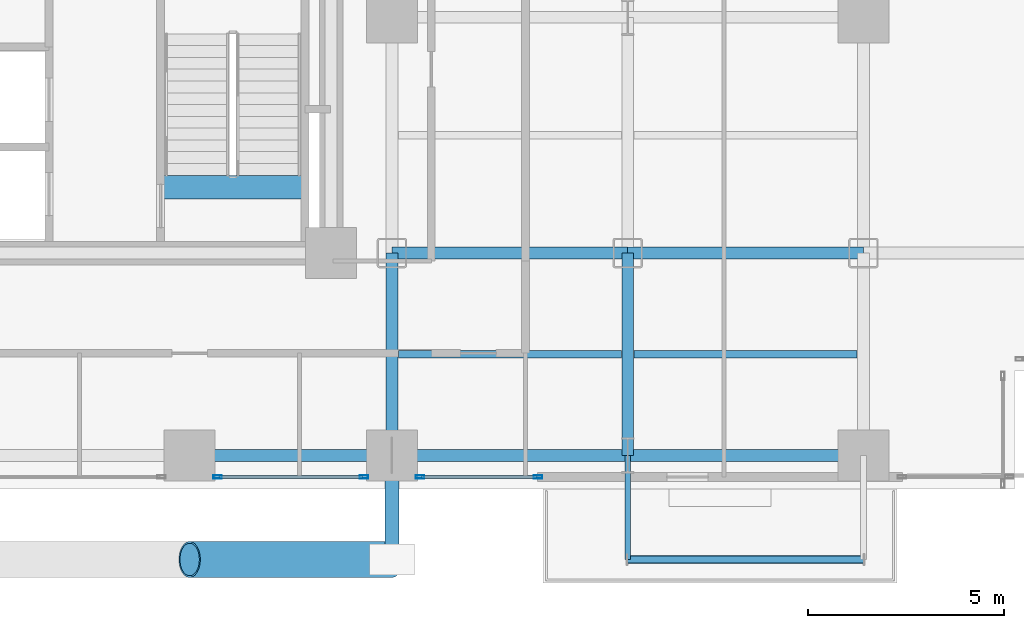
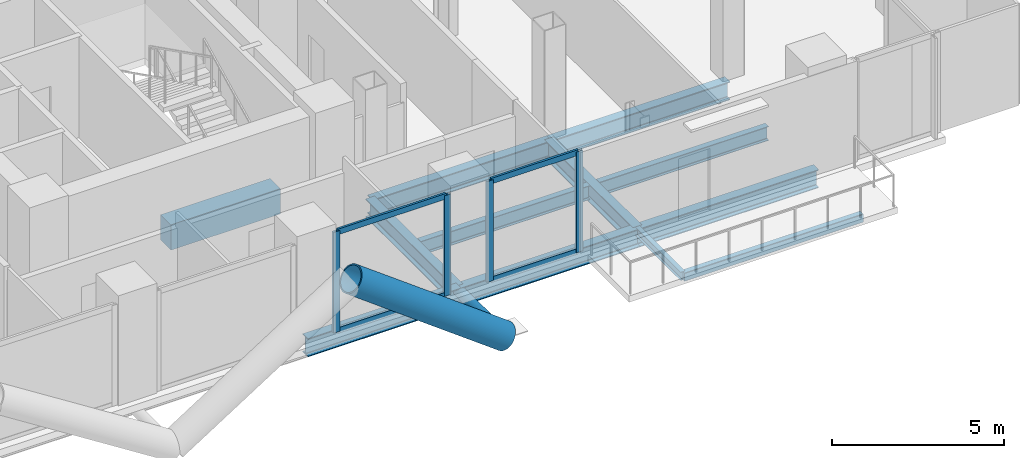
# One storey, part 8 of 27: 12 beams, 10 members, 2 elements without a shape of their own.
"""IFC4 building model written with IfcOpenShell, lengths in metres."""

from ifc_helpers import new_model, si_unit, direction, frame, origin, origin_2d, place, context, subcontext, project, spatial, rectangle, hollow_rectangle, hollow_circle, i_section, extrude, material, layer, layer_set, material_profile, profile_set, type_object, element, aggregate, save


model = new_model("IFC4")

# Units and contexts
model_context = context("Model", 3, precision=1e-05, world=origin(), true_north=direction((0.0, 1.0)))
body_context = subcontext(model_context, "Body", "Model", "MODEL_VIEW")
ifc_project = project(units=[si_unit("LENGTHUNIT", "METRE"), si_unit("AREAUNIT", "SQUARE_METRE"), si_unit("VOLUMEUNIT", "CUBIC_METRE"), si_unit("PLANEANGLEUNIT", "RADIAN"), si_unit("MASSUNIT", "GRAM", prefix="KILO"), si_unit("THERMODYNAMICTEMPERATUREUNIT", "KELVIN"), si_unit("POWERUNIT", "WATT")], contexts=[model_context])

# Site, building, storey
site_placement = place(None, origin())
site = spatial("IfcSite", under=ifc_project, at=site_placement, CompositionType="ELEMENT")
building_placement = place(site_placement, origin())
building = spatial("IfcBuilding", under=site, at=building_placement, Name="Svarakhadi Broadcast Tower", CompositionType="ELEMENT")
storey_placement = place(building_placement, frame((0.0, 0.0, 90.89990234375)))
storey = spatial("IfcBuildingStorey", under=building, at=storey_placement, Name="L21", CompositionType="ELEMENT", Elevation=90.89990234375)

# Beams
ifc_material_1 = material(Name="Steel S355J2 (IS 2062 E350C)", Category="steel")
ifc_material_profile_1 = material_profile(ifc_material_1, i_section(OverallWidth=0.199951171875, OverallDepth=0.5, WebThickness=0.01025390625, FlangeThickness=0.01611328125, FilletRadius=0.02099609375, at=origin_2d()), Name="NPB 500x200x91")
ifc_profile_set_1 = profile_set([ifc_material_profile_1], Name="Steel S355J2 (IS 2062 E350C)")
beam_type_1 = type_object("IfcBeamType", Name="Beam_NPB500", PredefinedType="BEAM", material=ifc_profile_set_1)
for number, where, z_axis, x_axis, name in (
    (1, (35.31005859375, 3.425048828125, -0.5), (1.0, 0.0, 0.0), (0.0, 1.0, 0.0), "L21 Secondary Composite Beam SB022"),
    (2, (41.31005859375, 3.425048828125, -0.5), (1.0, 0.0, 0.0), (0.0, 1.0, 0.0), "L21 Secondary Composite Beam SB025"),
):
    element("IfcBeam", number, at=place(storey_placement, frame(where, z_axis=z_axis, x_axis=x_axis)), inside=storey, type_object=beam_type_1, Name=name, PredefinedType="BEAM", context=body_context, shape_type="SweptSolid", body=[
        extrude(i_section(OverallWidth=0.199951171875, OverallDepth=0.5, WebThickness=0.01025390625, FlangeThickness=0.01611328125, FilletRadius=0.02099609375, at=origin_2d()), origin(), (0.0, 0.0, 1.0), 5.679931640625),
    ])

# Curtain wall, members
ifc_material_2 = material(Name="Anodised Bronze Aluminium AA 6063-T6", Category="aluminium")
ifc_layer = layer(ifc_material_2, 0.219970703125)
ifc_layer_set = layer_set([ifc_layer], Name="Anodised Bronze Aluminium AA 6063-T6")
curtain_wall_type = type_object("IfcCurtainWallType", Name="CW_Sys_02", PredefinedType="NOTDEFINED", material=ifc_layer_set)
curtain_wall_1_placement = place(storey_placement, origin())
curtain_wall_1 = element("IfcCurtainWall", 3, at=curtain_wall_1_placement, inside=storey, type_object=curtain_wall_type, Name="L21 South Curtain Wall 17 Bay 1", PredefinedType="NOTDEFINED")
ifc_material_profile_2 = material_profile(ifc_material_2, hollow_rectangle(XDim=0.0849609375, YDim=0.219970703125, WallThickness=0.006103515625, at=origin_2d()), Name="ALU MULLION 220x85x6")
ifc_profile_set_2 = profile_set([ifc_material_profile_2], Name="Anodised Bronze Aluminium AA 6063-T6")
member_type_1 = type_object("IfcMemberType", Name="CW_Sys_02_Mul", PredefinedType="MULLION", material=ifc_profile_set_2)
member_1_placement = place(storey_placement, frame((38.867431640625, 0.300048828125, 0.0), z_axis=(0.0, 0.0, 1.0), x_axis=(0.0, -1.0, 0.0)))
member_1 = element("IfcMember", 4, at=member_1_placement, type_object=member_type_1, Name="CW-02 mullion 1", PredefinedType="MULLION", context=body_context, shape_type="SweptSolid", body=[
    extrude(hollow_rectangle(XDim=0.0849609375, YDim=0.219970703125, WallThickness=0.006103515625, at=origin_2d()), origin(), (0.0, 0.0, 1.0), 3.5751953125),
])
member_2_placement = place(storey_placement, frame((35.862548828125, 0.300048828125, 0.0), z_axis=(0.0, 0.0, 1.0), x_axis=(0.0, -1.0, 0.0)))
member_2 = element("IfcMember", 5, at=member_2_placement, type_object=member_type_1, Name="CW-02 mullion 2", PredefinedType="MULLION", context=body_context, shape_type="SweptSolid", body=[
    extrude(hollow_rectangle(XDim=0.0849609375, YDim=0.219970703125, WallThickness=0.006103515625, at=origin_2d()), origin(), (0.0, 0.0, 1.0), 3.5751953125),
])

curtain_wall_2_placement = place(storey_placement, origin())
curtain_wall_2 = element("IfcCurtainWall", 6, at=curtain_wall_2_placement, inside=storey, type_object=curtain_wall_type, Name="L21 South Curtain Wall 17 Bay 2", PredefinedType="NOTDEFINED")
member_3_placement = place(storey_placement, frame((34.4375, 0.300048828125, 0.0), z_axis=(0.0, 0.0, 1.0), x_axis=(0.0, -1.0, 0.0)))
member_3 = element("IfcMember", 7, at=member_3_placement, type_object=member_type_1, Name="CW-02 mullion 1", PredefinedType="MULLION", context=body_context, shape_type="SweptSolid", body=[
    extrude(hollow_rectangle(XDim=0.0849609375, YDim=0.219970703125, WallThickness=0.006103515625, at=origin_2d()), origin(), (0.0, 0.0, 1.0), 3.5751953125),
])
member_4_placement = place(storey_placement, frame((30.71240234375, 0.300048828125, 0.0), z_axis=(0.0, 0.0, 1.0), x_axis=(0.0, -1.0, 0.0)))
member_4 = element("IfcMember", 8, at=member_4_placement, type_object=member_type_1, Name="CW-02 mullion 2", PredefinedType="MULLION", context=body_context, shape_type="SweptSolid", body=[
    extrude(hollow_rectangle(XDim=0.0849609375, YDim=0.219970703125, WallThickness=0.006103515625, at=origin_2d()), origin(), (0.0, 0.0, 1.0), 3.5751953125),
])

# Member
ifc_material_profile_3 = material_profile(ifc_material_2, hollow_rectangle(XDim=0.074951171875, YDim=0.199951171875, WallThickness=0.0048828125, at=origin_2d()), Name="ALU TRANSOM 200x75x5")
ifc_profile_set_3 = profile_set([ifc_material_profile_3], Name="Anodised Bronze Aluminium AA 6063-T6")
member_type_2 = type_object("IfcMemberType", Name="CW_Sys_02_Trn", PredefinedType="USERDEFINED", material=ifc_profile_set_3)
member_5_placement = place(storey_placement, frame((38.824951171875, 0.300048828125, 0.03759765625), z_axis=(-1.0, 0.0, 0.0), x_axis=(0.0, -1.0, 0.0)))
member_5 = element("IfcMember", 9, at=member_5_placement, type_object=member_type_2, Name="CW-02 transom 1.1", ObjectType="TRANSOM", PredefinedType="USERDEFINED", context=body_context, shape_type="SweptSolid", body=[
    extrude(hollow_rectangle(XDim=0.074951171875, YDim=0.199951171875, WallThickness=0.0048828125, at=origin_2d()), origin(), (0.0, 0.0, 1.0), 2.919921875),
])

member_6_placement = place(storey_placement, frame((38.824951171875, 0.300048828125, 3.53759765625), z_axis=(-1.0, 0.0, 0.0), x_axis=(0.0, -1.0, 0.0)))
member_6 = element("IfcMember", 10, at=member_6_placement, type_object=member_type_2, Name="CW-02 transom 1.2", ObjectType="TRANSOM", PredefinedType="USERDEFINED", context=body_context, shape_type="SweptSolid", body=[
    extrude(hollow_rectangle(XDim=0.074951171875, YDim=0.199951171875, WallThickness=0.0048828125, at=origin_2d()), origin(), (0.0, 0.0, 1.0), 2.919921875),
])

aggregate(curtain_wall_1, [member_1, member_2, member_5, member_6])

member_7_placement = place(storey_placement, frame((34.39501953125, 0.300048828125, 0.03759765625), z_axis=(-1.0, 0.0, 0.0), x_axis=(0.0, -1.0, 0.0)))
member_7 = element("IfcMember", 11, at=member_7_placement, type_object=member_type_2, Name="CW-02 transom 1.1", ObjectType="TRANSOM", PredefinedType="USERDEFINED", context=body_context, shape_type="SweptSolid", body=[
    extrude(hollow_rectangle(XDim=0.074951171875, YDim=0.199951171875, WallThickness=0.0048828125, at=origin_2d()), origin(), (0.0, 0.0, 1.0), 3.64013671875),
])

member_8_placement = place(storey_placement, frame((34.39501953125, 0.300048828125, 3.53759765625), z_axis=(-1.0, 0.0, 0.0), x_axis=(0.0, -1.0, 0.0)))
member_8 = element("IfcMember", 12, at=member_8_placement, type_object=member_type_2, Name="CW-02 transom 1.2", ObjectType="TRANSOM", PredefinedType="USERDEFINED", context=body_context, shape_type="SweptSolid", body=[
    extrude(hollow_rectangle(XDim=0.074951171875, YDim=0.199951171875, WallThickness=0.0048828125, at=origin_2d()), origin(), (0.0, 0.0, 1.0), 3.64013671875),
])

aggregate(curtain_wall_2, [member_3, member_4, member_7, member_8])

# Beam
ifc_material_3 = material(Name="Concrete C50/60 (IS 456 M60)", Category="concrete")
ifc_material_profile_4 = material_profile(ifc_material_3, rectangle(XDim=0.60009765625, YDim=0.89990234375, at=origin_2d()), Name="RC 600x900")
ifc_profile_set_4 = profile_set([ifc_material_profile_4], Name="Concrete C50/60 (IS 456 M60)")
beam_type_2 = type_object("IfcBeamType", Name="Coupling_RC600", PredefinedType="USERDEFINED", material=ifc_profile_set_4)
beam_1_placement = place(storey_placement, frame((29.260009765625, 7.679931640625, -0.449951171875), z_axis=(1.0, 0.0, 0.0), x_axis=(0.0, 1.0, 0.0)))
element("IfcBeam", 13, at=beam_1_placement, inside=storey, type_object=beam_type_2, Name="L21 Stair ST-02 Landing Throat Trimmer Beam CB-01", ObjectType="GIRDER", PredefinedType="USERDEFINED", context=body_context, shape_type="SweptSolid", body=[
    extrude(rectangle(XDim=0.60009765625, YDim=0.89990234375, at=origin_2d()), origin(), (0.0, 0.0, 1.0), 3.679931640625),
])

# Members
ifc_material_4 = material(Name="Steel S460ML (IS 2062 E450BR)", Category="steel")
ifc_material_profile_5 = material_profile(ifc_material_4, hollow_circle(Radius=0.45703125, WallThickness=0.044921875, at=origin_2d()), Name="CHS 914x45")
ifc_profile_set_5 = profile_set([ifc_material_profile_5], Name="Steel S460ML (IS 2062 E450BR)")
member_type_3 = type_object("IfcMemberType", Name="Exo_Brace_CHS914", PredefinedType="BRACE", material=ifc_profile_set_5)
member_9_placement = place(storey_placement, frame((35.14990234375, -1.800048828125, -0.427734375), z_axis=(-0.802795376405, 0.0, 0.596254629854), x_axis=(0.0, -1.0, 0.0)))
element("IfcMember", 14, at=member_9_placement, inside=storey, type_object=member_type_3, Name="L21 Exposed Bronze Exoskeleton Diagonal S05", PredefinedType="BRACE", context=body_context, shape_type="SweptSolid", body=[
    extrude(hollow_circle(Radius=0.45703125, WallThickness=0.044921875, at=origin_2d()), origin(), (0.0, 0.0, 1.0), 6.4150390625),
])
ifc_material_profile_6 = material_profile(ifc_material_4, hollow_circle(Radius=0.177734375, WallThickness=0.02001953125, at=origin_2d()), Name="CHS 355.6x20")
ifc_profile_set_6 = profile_set([ifc_material_profile_6], Name="Steel S460ML (IS 2062 E450BR)")
member_type_4 = type_object("IfcMemberType", Name="Exo_Radial_Strut_Z1", PredefinedType="STRUT", material=ifc_profile_set_6)
member_10_placement = place(storey_placement, frame((35.14990234375, -1.800048828125, -0.427734375), z_axis=(0.0, 1.0, 0.0), x_axis=(-1.0, 0.0, 0.0)))
element("IfcMember", 15, at=member_10_placement, inside=storey, type_object=member_type_4, Name="L21 Exoskeleton Radial Tie Strut S03", PredefinedType="STRUT", context=body_context, shape_type="SweptSolid", body=[
    extrude(hollow_circle(Radius=0.177734375, WallThickness=0.02001953125, at=origin_2d()), origin(), (0.0, 0.0, 1.0), 2.650146484375),
])

# Beams
ifc_material_profile_7 = material_profile(ifc_material_1, i_section(OverallWidth=0.300048828125, OverallDepth=0.64990234375, WebThickness=0.01611328125, FlangeThickness=0.031005859375, FilletRadius=0.027099609375, at=origin_2d()), Name="WPB 650x300x225")
ifc_profile_set_7 = profile_set([ifc_material_profile_7], Name="Steel S355J2 (IS 2062 E350C)")
beam_type_3 = type_object("IfcBeamType", Name="Girder_WPB650", PredefinedType="USERDEFINED", material=ifc_profile_set_7)
beam_2_placement = place(storey_placement, frame((30.0, 0.85009765625, -0.574951171875), z_axis=(1.0, 0.0, 0.0), x_axis=(0.0, 1.0, 0.0)))
element("IfcBeam", 16, at=beam_2_placement, inside=storey, type_object=beam_type_3, Name="L21 Primary E-W Girder G008", ObjectType="GIRDER", PredefinedType="USERDEFINED", context=body_context, shape_type="SweptSolid", body=[
    extrude(i_section(OverallWidth=0.300048828125, OverallDepth=0.64990234375, WebThickness=0.01611328125, FlangeThickness=0.031005859375, FilletRadius=0.027099609375, at=origin_2d()), origin(), (0.0, 0.0, 1.0), 5.14990234375),
])
for number, where, z_axis, x_axis, name in (
    (17, (35.14990234375, 0.85009765625, -0.574951171875), (1.0, 0.0, 0.0), (0.0, 1.0, 0.0), "L21 Primary E-W Girder G009"),
    (18, (41.14990234375, 0.85009765625, -0.574951171875), (1.0, 0.0, 0.0), (0.0, 1.0, 0.0), "L21 Primary E-W Girder G010"),
    (19, (35.14990234375, 6.0, -0.574951171875), (1.0, 0.0, 0.0), (0.0, 1.0, 0.0), "L21 Primary E-W Girder G016"),
    (20, (41.14990234375, 6.0, -0.574951171875), (1.0, 0.0, 0.0), (0.0, 1.0, 0.0), "L21 Primary E-W Girder G017"),
):
    element("IfcBeam", number, at=place(storey_placement, frame(where, z_axis=z_axis, x_axis=x_axis)), inside=storey, type_object=beam_type_3, Name=name, ObjectType="GIRDER", PredefinedType="USERDEFINED", context=body_context, shape_type="SweptSolid", body=[
        extrude(i_section(OverallWidth=0.300048828125, OverallDepth=0.64990234375, WebThickness=0.01611328125, FlangeThickness=0.031005859375, FilletRadius=0.027099609375, at=origin_2d()), origin(), (0.0, 0.0, 1.0), 6.0),
    ])
for number, where, z_axis, x_axis, name in (
    (21, (35.14990234375, 0.85009765625, -0.574951171875), (0.0, 1.0, 0.0), (-1.0, 0.0, 0.0), "L21 Primary N-S Girder G076"),
    (22, (41.14990234375, 0.85009765625, -0.574951171875), (0.0, 1.0, 0.0), (-1.0, 0.0, 0.0), "L21 Primary N-S Girder G079"),
):
    element("IfcBeam", number, at=place(storey_placement, frame(where, z_axis=z_axis, x_axis=x_axis)), inside=storey, type_object=beam_type_3, Name=name, ObjectType="GIRDER", PredefinedType="USERDEFINED", context=body_context, shape_type="SweptSolid", body=[
        extrude(i_section(OverallWidth=0.300048828125, OverallDepth=0.64990234375, WebThickness=0.01611328125, FlangeThickness=0.031005859375, FilletRadius=0.027099609375, at=origin_2d()), origin(), (0.0, 0.0, 1.0), 5.14990234375),
    ])
ifc_material_profile_8 = material_profile(ifc_material_1, i_section(OverallWidth=0.14990234375, OverallDepth=0.300048828125, WebThickness=0.007080078125, FlangeThickness=0.0107421875, FilletRadius=0.014892578125, at=origin_2d()), Name="NPB 300x150x37")
ifc_profile_set_8 = profile_set([ifc_material_profile_8], Name="Steel S355J2 (IS 2062 E350C)")
beam_type_4 = type_object("IfcBeamType", Name="Spandrel_NPB300", PredefinedType="SPANDREL", material=ifc_profile_set_8)
beam_3_placement = place(storey_placement, frame((41.14990234375, 0.85009765625, -0.39990234375), z_axis=(0.0, -1.0, 0.0), x_axis=(1.0, 0.0, 0.0)))
element("IfcBeam", 23, at=beam_3_placement, inside=storey, type_object=beam_type_4, Name="L21 Balcony Cantilever Bracket 1A", PredefinedType="SPANDREL", context=body_context, shape_type="SweptSolid", body=[
    extrude(i_section(OverallWidth=0.14990234375, OverallDepth=0.300048828125, WebThickness=0.007080078125, FlangeThickness=0.0107421875, FilletRadius=0.014892578125, at=origin_2d()), origin(), (0.0, 0.0, 1.0), 2.650146484375),
])
ifc_material_profile_9 = material_profile(ifc_material_4, hollow_rectangle(XDim=0.199951171875, YDim=0.300048828125, WallThickness=0.012451171875, InnerFilletRadius=0.012451171875, OuterFilletRadius=0.02490234375, at=origin_2d()), Name="RHS 300x200x12.5")
ifc_profile_set_9 = profile_set([ifc_material_profile_9], Name="Steel S460ML (IS 2062 E450BR)")
beam_type_5 = type_object("IfcBeamType", Name="Spandrel_RHS300", PredefinedType="SPANDREL", material=ifc_profile_set_9)
beam_4_placement = place(storey_placement, frame((41.14990234375, -1.800048828125, -0.39990234375), z_axis=(1.0, 0.0, 0.0), x_axis=(0.0, 1.0, 0.0)))
element("IfcBeam", 24, at=beam_4_placement, inside=storey, type_object=beam_type_5, Name="L21 Balcony Outer Spandrel 1F", PredefinedType="SPANDREL", context=body_context, shape_type="SweptSolid", body=[
    extrude(hollow_rectangle(XDim=0.199951171875, YDim=0.300048828125, WallThickness=0.012451171875, InnerFilletRadius=0.012451171875, OuterFilletRadius=0.02490234375, at=origin_2d()), origin(), (0.0, 0.0, 1.0), 6.0),
])

save(model, "model.ifc")
